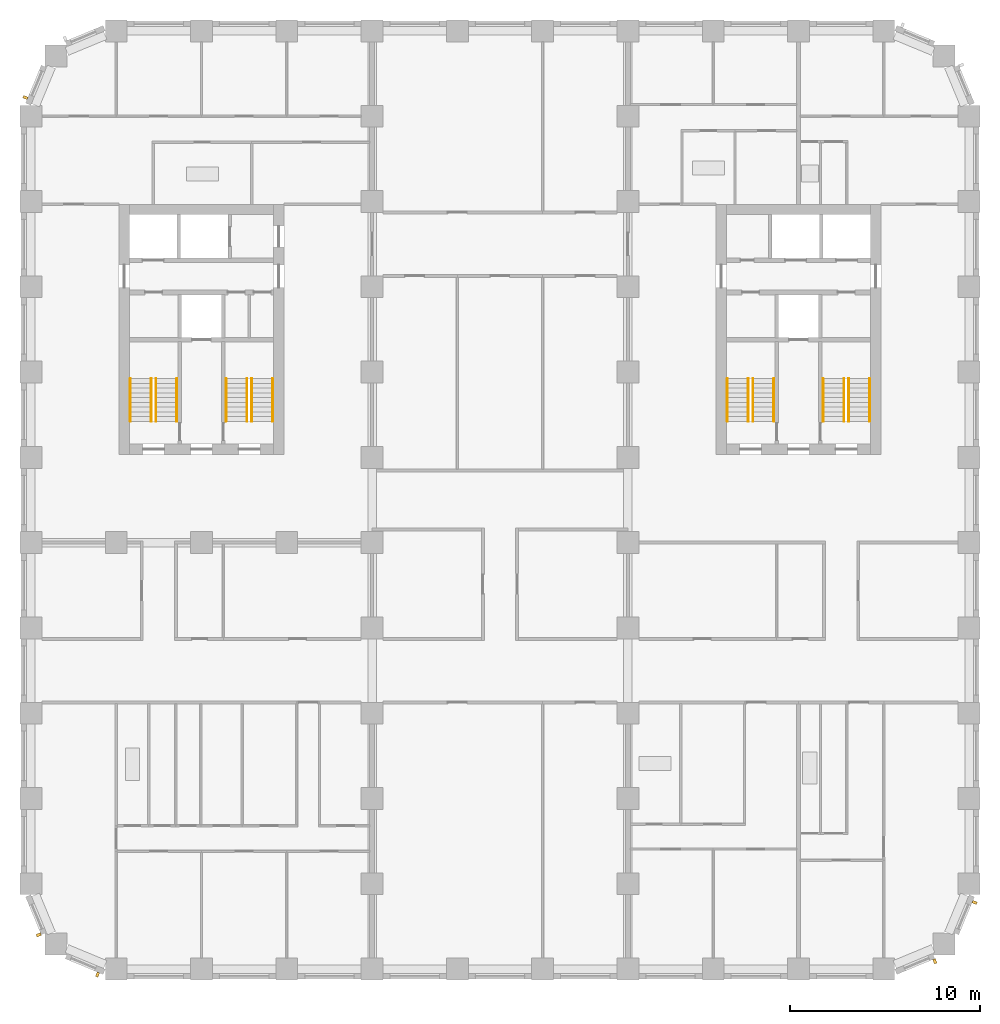
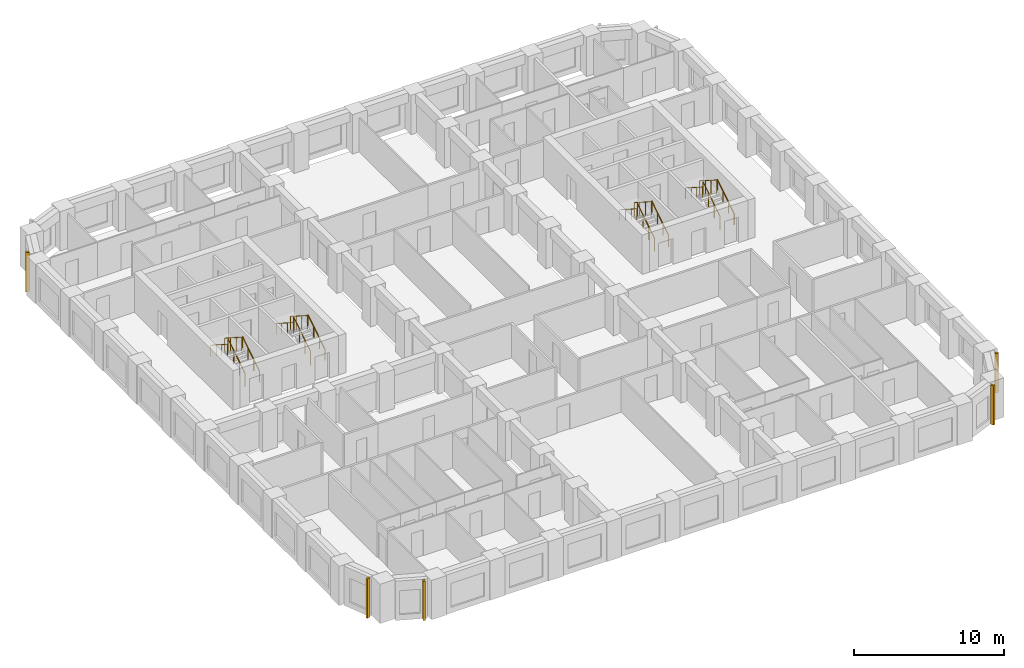
# One storey, part 11 of 13: 16 railings, 5 shading devices.
"""IFC4 building model written with IfcOpenShell, lengths in metres."""

from ifc_helpers import new_model, si_unit, direction, frame, origin, origin_2d, place, context, subcontext, project, spatial, rectangle, circle, extrude, material, type_object, element, save


model = new_model("IFC4")

# Units and contexts
model_context = context("Model", 3, precision=1e-05, world=origin(), true_north=direction((0.0, 1.0)))
body_context = subcontext(model_context, "Body", "Model", "MODEL_VIEW")
ifc_project = project(units=[si_unit("LENGTHUNIT", "METRE"), si_unit("AREAUNIT", "SQUARE_METRE"), si_unit("VOLUMEUNIT", "CUBIC_METRE"), si_unit("PLANEANGLEUNIT", "RADIAN"), si_unit("MASSUNIT", "GRAM", prefix="KILO")], contexts=[model_context])

# Site, building, storey
site_placement = place(None, origin())
site = spatial("IfcSite", under=ifc_project, at=site_placement, CompositionType="ELEMENT")
building_placement = place(site_placement, origin())
building = spatial("IfcBuilding", under=site, at=building_placement, Name="Girih Gate Residences", CompositionType="ELEMENT")
storey_placement = place(building_placement, frame((0.0, 0.0, 102.39990234375)))
storey = spatial("IfcBuildingStorey", under=building, at=storey_placement, Name="L28", CompositionType="ELEMENT", Elevation=102.39990234375)

# Shading devices
ifc_material_1 = material(Name="Precast concrete C50/60", Category="concrete")
shading_device_type = type_object("IfcShadingDeviceType", Name="Corner rib 150x250", PredefinedType="USERDEFINED", material=ifc_material_1)
for number, where, z_axis, x_axis, name in (
    (1, (0.412353515625, 1.8056640625, 0.0), (0.0, 0.0, 1.0), (0.382683432365, -0.923879532511, 0.0), "Corner rib SW0000_0045.0"),
    (2, (3.514892578125, -0.29541015625, 0.0), (0.0, 0.0, 1.0), (0.923879532511, -0.382683432365, 0.0), "Corner rib SW0013_0013.0"),
    (3, (47.6943359375, 0.412353515625, 0.0), (0.0, 0.0, 1.0), (0.923879532511, 0.382683432365, 0.0), "Corner rib SE0450_0000.0"),
    (4, (49.79541015625, 3.514892578125, 0.0), (0.0, 0.0, 1.0), (0.382683432365, 0.923879532511, 0.0), "Corner rib SE0482_0013.0"),
    (5, (-0.29541015625, 45.985107421875, 0.0), (0.0, 0.0, 1.0), (-0.382683432365, -0.923879532511, 0.0), "Corner rib NW0013_0482.0"),
):
    element("IfcShadingDevice", number, at=place(storey_placement, frame(where, z_axis=z_axis, x_axis=x_axis)), inside=storey, type_object=shading_device_type, Name=name, ObjectType="FIN", PredefinedType="USERDEFINED", context=body_context, shape_type="SweptSolid", body=[
        extrude(rectangle(XDim=0.14990234375, YDim=0.25, at=origin_2d()), origin(), (0.0, 0.0, 1.0), 3.199951171875),
    ])

# Railings
ifc_material_2 = material(Name="Stainless steel", Category="steel")
railing_type_1 = type_object("IfcRailingType", Name="Stair guard 1100", PredefinedType="GUARDRAIL", material=ifc_material_2)
railing_1_placement = place(storey_placement, frame((6.60009765625, 28.89990234375, 0.16015625)))
element("IfcRailing", 6, at=railing_1_placement, inside=storey, type_object=railing_type_1, Name="L28 ST-W1 stair guard 1", PredefinedType="GUARDRAIL", context=body_context, shape_type="SweptSolid", body=[
    extrude(circle(Radius=0.02392578125, at=origin_2d()), frame((0.0, 0.0, 1.076171875), z_axis=(0.0, 0.842281359387, 0.539038135598), x_axis=(-1.0, 0.0, 0.0)), (0.0, 0.0, 1.0), 2.67138671875),
    extrude(circle(Radius=0.02099609375, at=origin_2d()), origin(), (0.0, 0.0, 1.0), 1.052001953125),
    extrude(circle(Radius=0.02099609375, at=origin_2d()), frame((0.0, 0.75, 0.47998046875)), (0.0, 0.0, 1.0), 1.052001953125),
    extrude(circle(Radius=0.02099609375, at=origin_2d()), frame((0.0, 1.5, 0.9599609375)), (0.0, 0.0, 1.0), 1.052001953125),
    extrude(circle(Radius=0.02099609375, at=origin_2d()), frame((0.0, 2.25, 1.43994140625)), (0.0, 0.0, 1.0), 1.052001953125),
])
railing_2_placement = place(storey_placement, frame((6.35009765625, 31.14990234375, 1.760009765625)))
element("IfcRailing", 7, at=railing_2_placement, inside=storey, type_object=railing_type_1, Name="L28 ST-W1 stair guard 2", PredefinedType="GUARDRAIL", context=body_context, shape_type="SweptSolid", body=[
    extrude(circle(Radius=0.02392578125, at=origin_2d()), frame((0.0, 0.0, 1.076171875), z_axis=(0.0, -0.842239864353, 0.539102968731), x_axis=(1.0, 0.0, 0.0)), (0.0, 0.0, 1.0), 2.67138671875),
    extrude(circle(Radius=0.02099609375, at=origin_2d()), origin(), (0.0, 0.0, 1.0), 1.052001953125),
    extrude(circle(Radius=0.02099609375, at=origin_2d()), frame((0.0, -0.75, 0.47998046875)), (0.0, 0.0, 1.0), 1.052001953125),
    extrude(circle(Radius=0.02099609375, at=origin_2d()), frame((0.0, -1.5, 0.960205078125)), (0.0, 0.0, 1.0), 1.052001953125),
    extrude(circle(Radius=0.02099609375, at=origin_2d()), frame((0.0, -2.25, 1.440185546875)), (0.0, 0.0, 1.0), 1.052001953125),
])
railing_3_placement = place(storey_placement, frame((11.64990234375, 28.89990234375, 0.16015625)))
element("IfcRailing", 8, at=railing_3_placement, inside=storey, type_object=railing_type_1, Name="L28 ST-W2 stair guard 1", PredefinedType="GUARDRAIL", context=body_context, shape_type="SweptSolid", body=[
    extrude(circle(Radius=0.02392578125, at=origin_2d()), frame((0.0, 0.0, 1.076171875), z_axis=(0.0, 0.842281359387, 0.539038135598), x_axis=(-1.0, 0.0, 0.0)), (0.0, 0.0, 1.0), 2.67138671875),
    extrude(circle(Radius=0.02099609375, at=origin_2d()), origin(), (0.0, 0.0, 1.0), 1.052001953125),
    extrude(circle(Radius=0.02099609375, at=origin_2d()), frame((0.0, 0.75, 0.47998046875)), (0.0, 0.0, 1.0), 1.052001953125),
    extrude(circle(Radius=0.02099609375, at=origin_2d()), frame((0.0, 1.5, 0.9599609375)), (0.0, 0.0, 1.0), 1.052001953125),
    extrude(circle(Radius=0.02099609375, at=origin_2d()), frame((0.0, 2.25, 1.43994140625)), (0.0, 0.0, 1.0), 1.052001953125),
])
railing_4_placement = place(storey_placement, frame((11.39990234375, 31.14990234375, 1.760009765625)))
element("IfcRailing", 9, at=railing_4_placement, inside=storey, type_object=railing_type_1, Name="L28 ST-W2 stair guard 2", PredefinedType="GUARDRAIL", context=body_context, shape_type="SweptSolid", body=[
    extrude(circle(Radius=0.02392578125, at=origin_2d()), frame((0.0, 0.0, 1.076171875), z_axis=(0.0, -0.842239864353, 0.539102968731), x_axis=(1.0, 0.0, 0.0)), (0.0, 0.0, 1.0), 2.67138671875),
    extrude(circle(Radius=0.02099609375, at=origin_2d()), origin(), (0.0, 0.0, 1.0), 1.052001953125),
    extrude(circle(Radius=0.02099609375, at=origin_2d()), frame((0.0, -0.75, 0.47998046875)), (0.0, 0.0, 1.0), 1.052001953125),
    extrude(circle(Radius=0.02099609375, at=origin_2d()), frame((0.0, -1.5, 0.960205078125)), (0.0, 0.0, 1.0), 1.052001953125),
    extrude(circle(Radius=0.02099609375, at=origin_2d()), frame((0.0, -2.25, 1.440185546875)), (0.0, 0.0, 1.0), 1.052001953125),
])
railing_5_placement = place(storey_placement, frame((43.14990234375, 28.89990234375, 0.16015625)))
element("IfcRailing", 10, at=railing_5_placement, inside=storey, type_object=railing_type_1, Name="L28 ST-E1 stair guard 1", PredefinedType="GUARDRAIL", context=body_context, shape_type="SweptSolid", body=[
    extrude(circle(Radius=0.02392578125, at=origin_2d()), frame((0.0, 0.0, 1.076171875), z_axis=(0.0, 0.842281359387, 0.539038135598), x_axis=(-1.0, 0.0, 0.0)), (0.0, 0.0, 1.0), 2.67138671875),
    extrude(circle(Radius=0.02099609375, at=origin_2d()), origin(), (0.0, 0.0, 1.0), 1.052001953125),
    extrude(circle(Radius=0.02099609375, at=origin_2d()), frame((0.0, 0.75, 0.47998046875)), (0.0, 0.0, 1.0), 1.052001953125),
    extrude(circle(Radius=0.02099609375, at=origin_2d()), frame((0.0, 1.5, 0.9599609375)), (0.0, 0.0, 1.0), 1.052001953125),
    extrude(circle(Radius=0.02099609375, at=origin_2d()), frame((0.0, 2.25, 1.43994140625)), (0.0, 0.0, 1.0), 1.052001953125),
])
railing_6_placement = place(storey_placement, frame((42.89990234375, 31.14990234375, 1.760009765625)))
element("IfcRailing", 11, at=railing_6_placement, inside=storey, type_object=railing_type_1, Name="L28 ST-E1 stair guard 2", PredefinedType="GUARDRAIL", context=body_context, shape_type="SweptSolid", body=[
    extrude(circle(Radius=0.02392578125, at=origin_2d()), frame((0.0, 0.0, 1.076171875), z_axis=(0.0, -0.842239864353, 0.539102968731), x_axis=(1.0, 0.0, 0.0)), (0.0, 0.0, 1.0), 2.67138671875),
    extrude(circle(Radius=0.02099609375, at=origin_2d()), origin(), (0.0, 0.0, 1.0), 1.052001953125),
    extrude(circle(Radius=0.02099609375, at=origin_2d()), frame((0.0, -0.75, 0.47998046875)), (0.0, 0.0, 1.0), 1.052001953125),
    extrude(circle(Radius=0.02099609375, at=origin_2d()), frame((0.0, -1.5, 0.960205078125)), (0.0, 0.0, 1.0), 1.052001953125),
    extrude(circle(Radius=0.02099609375, at=origin_2d()), frame((0.0, -2.25, 1.440185546875)), (0.0, 0.0, 1.0), 1.052001953125),
])
railing_7_placement = place(storey_placement, frame((38.10009765625, 28.89990234375, 0.16015625)))
element("IfcRailing", 12, at=railing_7_placement, inside=storey, type_object=railing_type_1, Name="L28 ST-E2 stair guard 1", PredefinedType="GUARDRAIL", context=body_context, shape_type="SweptSolid", body=[
    extrude(circle(Radius=0.02392578125, at=origin_2d()), frame((0.0, 0.0, 1.076171875), z_axis=(0.0, 0.842281359387, 0.539038135598), x_axis=(-1.0, 0.0, 0.0)), (0.0, 0.0, 1.0), 2.67138671875),
    extrude(circle(Radius=0.02099609375, at=origin_2d()), origin(), (0.0, 0.0, 1.0), 1.052001953125),
    extrude(circle(Radius=0.02099609375, at=origin_2d()), frame((0.0, 0.75, 0.47998046875)), (0.0, 0.0, 1.0), 1.052001953125),
    extrude(circle(Radius=0.02099609375, at=origin_2d()), frame((0.0, 1.5, 0.9599609375)), (0.0, 0.0, 1.0), 1.052001953125),
    extrude(circle(Radius=0.02099609375, at=origin_2d()), frame((0.0, 2.25, 1.43994140625)), (0.0, 0.0, 1.0), 1.052001953125),
])
railing_8_placement = place(storey_placement, frame((37.85009765625, 31.14990234375, 1.760009765625)))
element("IfcRailing", 13, at=railing_8_placement, inside=storey, type_object=railing_type_1, Name="L28 ST-E2 stair guard 2", PredefinedType="GUARDRAIL", context=body_context, shape_type="SweptSolid", body=[
    extrude(circle(Radius=0.02392578125, at=origin_2d()), frame((0.0, 0.0, 1.076171875), z_axis=(0.0, -0.842239864353, 0.539102968731), x_axis=(1.0, 0.0, 0.0)), (0.0, 0.0, 1.0), 2.67138671875),
    extrude(circle(Radius=0.02099609375, at=origin_2d()), origin(), (0.0, 0.0, 1.0), 1.052001953125),
    extrude(circle(Radius=0.02099609375, at=origin_2d()), frame((0.0, -0.75, 0.47998046875)), (0.0, 0.0, 1.0), 1.052001953125),
    extrude(circle(Radius=0.02099609375, at=origin_2d()), frame((0.0, -1.5, 0.960205078125)), (0.0, 0.0, 1.0), 1.052001953125),
    extrude(circle(Radius=0.02099609375, at=origin_2d()), frame((0.0, -2.25, 1.440185546875)), (0.0, 0.0, 1.0), 1.052001953125),
])
railing_type_2 = type_object("IfcRailingType", Name="Stair handrail 900", PredefinedType="HANDRAIL", material=ifc_material_2)
railing_9_placement = place(storey_placement, frame((7.699951171875, 28.89990234375, 0.16015625)))
element("IfcRailing", 14, at=railing_9_placement, inside=storey, type_object=railing_type_2, Name="L28 ST-W1 stair handrail 1", PredefinedType="HANDRAIL", context=body_context, shape_type="SweptSolid", body=[
    extrude(circle(Radius=0.02392578125, at=origin_2d()), frame((0.0, 0.0, 0.8857421875), z_axis=(0.0, 0.842281359387, 0.539038135598), x_axis=(-1.0, 0.0, 0.0)), (0.0, 0.0, 1.0), 2.67138671875),
    extrude(circle(Radius=0.02099609375, at=origin_2d()), origin(), (0.0, 0.0, 1.0), 0.86181640625),
    extrude(circle(Radius=0.02099609375, at=origin_2d()), frame((0.0, 0.75, 0.47998046875)), (0.0, 0.0, 1.0), 0.86181640625),
    extrude(circle(Radius=0.02099609375, at=origin_2d()), frame((0.0, 1.5, 0.9599609375)), (0.0, 0.0, 1.0), 0.86181640625),
    extrude(circle(Radius=0.02099609375, at=origin_2d()), frame((0.0, 2.25, 1.43994140625)), (0.0, 0.0, 1.0), 0.86181640625),
])
railing_10_placement = place(storey_placement, frame((5.25, 31.14990234375, 1.760009765625)))
element("IfcRailing", 15, at=railing_10_placement, inside=storey, type_object=railing_type_2, Name="L28 ST-W1 stair handrail 2", PredefinedType="HANDRAIL", context=body_context, shape_type="SweptSolid", body=[
    extrude(circle(Radius=0.02392578125, at=origin_2d()), frame((0.0, 0.0, 0.8857421875), z_axis=(0.0, -0.842239864353, 0.539102968731), x_axis=(1.0, 0.0, 0.0)), (0.0, 0.0, 1.0), 2.67138671875),
    extrude(circle(Radius=0.02099609375, at=origin_2d()), origin(), (0.0, 0.0, 1.0), 0.86181640625),
    extrude(circle(Radius=0.02099609375, at=origin_2d()), frame((0.0, -0.75, 0.47998046875)), (0.0, 0.0, 1.0), 0.86181640625),
    extrude(circle(Radius=0.02099609375, at=origin_2d()), frame((0.0, -1.5, 0.960205078125)), (0.0, 0.0, 1.0), 0.86181640625),
    extrude(circle(Radius=0.02099609375, at=origin_2d()), frame((0.0, -2.25, 1.440185546875)), (0.0, 0.0, 1.0), 0.86181640625),
])
railing_11_placement = place(storey_placement, frame((12.75, 28.89990234375, 0.16015625)))
element("IfcRailing", 16, at=railing_11_placement, inside=storey, type_object=railing_type_2, Name="L28 ST-W2 stair handrail 1", PredefinedType="HANDRAIL", context=body_context, shape_type="SweptSolid", body=[
    extrude(circle(Radius=0.02392578125, at=origin_2d()), frame((0.0, 0.0, 0.8857421875), z_axis=(0.0, 0.842281359387, 0.539038135598), x_axis=(-1.0, 0.0, 0.0)), (0.0, 0.0, 1.0), 2.67138671875),
    extrude(circle(Radius=0.02099609375, at=origin_2d()), origin(), (0.0, 0.0, 1.0), 0.86181640625),
    extrude(circle(Radius=0.02099609375, at=origin_2d()), frame((0.0, 0.75, 0.47998046875)), (0.0, 0.0, 1.0), 0.86181640625),
    extrude(circle(Radius=0.02099609375, at=origin_2d()), frame((0.0, 1.5, 0.9599609375)), (0.0, 0.0, 1.0), 0.86181640625),
    extrude(circle(Radius=0.02099609375, at=origin_2d()), frame((0.0, 2.25, 1.43994140625)), (0.0, 0.0, 1.0), 0.86181640625),
])
railing_12_placement = place(storey_placement, frame((10.300048828125, 31.14990234375, 1.760009765625)))
element("IfcRailing", 17, at=railing_12_placement, inside=storey, type_object=railing_type_2, Name="L28 ST-W2 stair handrail 2", PredefinedType="HANDRAIL", context=body_context, shape_type="SweptSolid", body=[
    extrude(circle(Radius=0.02392578125, at=origin_2d()), frame((0.0, 0.0, 0.8857421875), z_axis=(0.0, -0.842239864353, 0.539102968731), x_axis=(1.0, 0.0, 0.0)), (0.0, 0.0, 1.0), 2.67138671875),
    extrude(circle(Radius=0.02099609375, at=origin_2d()), origin(), (0.0, 0.0, 1.0), 0.86181640625),
    extrude(circle(Radius=0.02099609375, at=origin_2d()), frame((0.0, -0.75, 0.47998046875)), (0.0, 0.0, 1.0), 0.86181640625),
    extrude(circle(Radius=0.02099609375, at=origin_2d()), frame((0.0, -1.5, 0.960205078125)), (0.0, 0.0, 1.0), 0.86181640625),
    extrude(circle(Radius=0.02099609375, at=origin_2d()), frame((0.0, -2.25, 1.440185546875)), (0.0, 0.0, 1.0), 0.86181640625),
])
railing_13_placement = place(storey_placement, frame((44.25, 28.89990234375, 0.16015625)))
element("IfcRailing", 18, at=railing_13_placement, inside=storey, type_object=railing_type_2, Name="L28 ST-E1 stair handrail 1", PredefinedType="HANDRAIL", context=body_context, shape_type="SweptSolid", body=[
    extrude(circle(Radius=0.02392578125, at=origin_2d()), frame((0.0, 0.0, 0.8857421875), z_axis=(0.0, 0.842281359387, 0.539038135598), x_axis=(-1.0, 0.0, 0.0)), (0.0, 0.0, 1.0), 2.67138671875),
    extrude(circle(Radius=0.02099609375, at=origin_2d()), origin(), (0.0, 0.0, 1.0), 0.86181640625),
    extrude(circle(Radius=0.02099609375, at=origin_2d()), frame((0.0, 0.75, 0.47998046875)), (0.0, 0.0, 1.0), 0.86181640625),
    extrude(circle(Radius=0.02099609375, at=origin_2d()), frame((0.0, 1.5, 0.9599609375)), (0.0, 0.0, 1.0), 0.86181640625),
    extrude(circle(Radius=0.02099609375, at=origin_2d()), frame((0.0, 2.25, 1.43994140625)), (0.0, 0.0, 1.0), 0.86181640625),
])
railing_14_placement = place(storey_placement, frame((41.800048828125, 31.14990234375, 1.760009765625)))
element("IfcRailing", 19, at=railing_14_placement, inside=storey, type_object=railing_type_2, Name="L28 ST-E1 stair handrail 2", PredefinedType="HANDRAIL", context=body_context, shape_type="SweptSolid", body=[
    extrude(circle(Radius=0.02392578125, at=origin_2d()), frame((0.0, 0.0, 0.8857421875), z_axis=(0.0, -0.842239864353, 0.539102968731), x_axis=(1.0, 0.0, 0.0)), (0.0, 0.0, 1.0), 2.67138671875),
    extrude(circle(Radius=0.02099609375, at=origin_2d()), origin(), (0.0, 0.0, 1.0), 0.86181640625),
    extrude(circle(Radius=0.02099609375, at=origin_2d()), frame((0.0, -0.75, 0.47998046875)), (0.0, 0.0, 1.0), 0.86181640625),
    extrude(circle(Radius=0.02099609375, at=origin_2d()), frame((0.0, -1.5, 0.960205078125)), (0.0, 0.0, 1.0), 0.86181640625),
    extrude(circle(Radius=0.02099609375, at=origin_2d()), frame((0.0, -2.25, 1.440185546875)), (0.0, 0.0, 1.0), 0.86181640625),
])
railing_15_placement = place(storey_placement, frame((39.199951171875, 28.89990234375, 0.16015625)))
element("IfcRailing", 20, at=railing_15_placement, inside=storey, type_object=railing_type_2, Name="L28 ST-E2 stair handrail 1", PredefinedType="HANDRAIL", context=body_context, shape_type="SweptSolid", body=[
    extrude(circle(Radius=0.02392578125, at=origin_2d()), frame((0.0, 0.0, 0.8857421875), z_axis=(0.0, 0.842281359387, 0.539038135598), x_axis=(-1.0, 0.0, 0.0)), (0.0, 0.0, 1.0), 2.67138671875),
    extrude(circle(Radius=0.02099609375, at=origin_2d()), origin(), (0.0, 0.0, 1.0), 0.86181640625),
    extrude(circle(Radius=0.02099609375, at=origin_2d()), frame((0.0, 0.75, 0.47998046875)), (0.0, 0.0, 1.0), 0.86181640625),
    extrude(circle(Radius=0.02099609375, at=origin_2d()), frame((0.0, 1.5, 0.9599609375)), (0.0, 0.0, 1.0), 0.86181640625),
    extrude(circle(Radius=0.02099609375, at=origin_2d()), frame((0.0, 2.25, 1.43994140625)), (0.0, 0.0, 1.0), 0.86181640625),
])
railing_16_placement = place(storey_placement, frame((36.75, 31.14990234375, 1.760009765625)))
element("IfcRailing", 21, at=railing_16_placement, inside=storey, type_object=railing_type_2, Name="L28 ST-E2 stair handrail 2", PredefinedType="HANDRAIL", context=body_context, shape_type="SweptSolid", body=[
    extrude(circle(Radius=0.02392578125, at=origin_2d()), frame((0.0, 0.0, 0.8857421875), z_axis=(0.0, -0.842239864353, 0.539102968731), x_axis=(1.0, 0.0, 0.0)), (0.0, 0.0, 1.0), 2.67138671875),
    extrude(circle(Radius=0.02099609375, at=origin_2d()), origin(), (0.0, 0.0, 1.0), 0.86181640625),
    extrude(circle(Radius=0.02099609375, at=origin_2d()), frame((0.0, -0.75, 0.47998046875)), (0.0, 0.0, 1.0), 0.86181640625),
    extrude(circle(Radius=0.02099609375, at=origin_2d()), frame((0.0, -1.5, 0.960205078125)), (0.0, 0.0, 1.0), 0.86181640625),
    extrude(circle(Radius=0.02099609375, at=origin_2d()), frame((0.0, -2.25, 1.440185546875)), (0.0, 0.0, 1.0), 0.86181640625),
])

save(model, "model.ifc")
